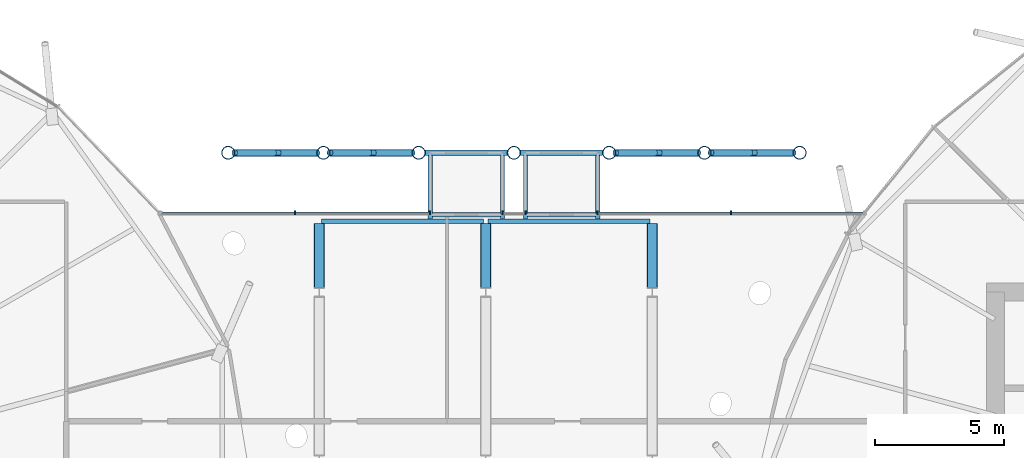
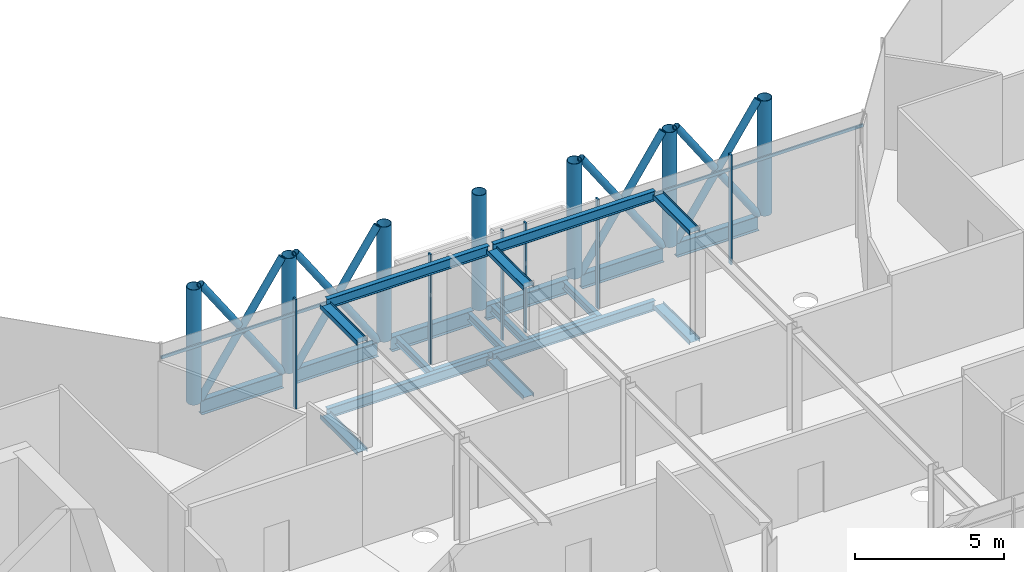
# One storey, part 10 of 36: 29 members, 22 beams, 1 element without a shape of its own.
"""IFC4 building model written with IfcOpenShell, lengths in metres."""

from ifc_helpers import new_model, si_unit, direction, frame, origin, origin_2d, place, context, subcontext, project, spatial, rectangle, hollow_circle, i_section, extrude, material, material_profile, profile_set, type_object, element, aggregate, save


model = new_model("IFC4")

# Units and contexts
model_context = context("Model", 3, precision=1e-05, world=origin(), true_north=direction((0.0, 1.0)))
body_context = subcontext(model_context, "Body", "Model", "MODEL_VIEW")
ifc_project = project(units=[si_unit("LENGTHUNIT", "METRE"), si_unit("AREAUNIT", "SQUARE_METRE"), si_unit("VOLUMEUNIT", "CUBIC_METRE"), si_unit("PLANEANGLEUNIT", "RADIAN"), si_unit("MASSUNIT", "GRAM", prefix="KILO")], contexts=[model_context])

# Site, building, storey
site_placement = place(None, origin())
site = spatial("IfcSite", under=ifc_project, at=site_placement, CompositionType="ELEMENT")
building_placement = place(site_placement, origin())
building = spatial("IfcBuilding", under=site, at=building_placement, Name="Rimbun Link Towers", CompositionType="ELEMENT")
storey_placement = place(building_placement, frame((0.0, 0.0, 154.39990234375)))
storey = spatial("IfcBuildingStorey", under=building, at=storey_placement, Name="L37", CompositionType="ELEMENT", Elevation=154.39990234375)

# Curtain wall, members
ifc_material_1 = material(Name="Aluminium 6063-T6 and low-iron glass", Category="aluminium")
curtain_wall_type = type_object("IfcCurtainWallType", Name="CW5 full height lobby wall", PredefinedType="NOTDEFINED", material=ifc_material_1)
curtain_wall_placement = place(storey_placement, origin())
curtain_wall = element("IfcCurtainWall", 1, at=curtain_wall_placement, inside=storey, type_object=curtain_wall_type, Name="CW5 L37 LB", PredefinedType="NOTDEFINED")
ifc_material_2 = material(Name="Aluminium 6063-T6", Category="aluminium")
ifc_material_profile_1 = material_profile(ifc_material_2, rectangle(XDim=0.14990234375, YDim=0.06005859375, at=origin_2d()), Name="MULLION 60X150")
ifc_profile_set_1 = profile_set([ifc_material_profile_1], Name="Aluminium 6063-T6")
member_type_1 = type_object("IfcMemberType", Name="CW5 mullion 60X150", PredefinedType="MULLION", material=ifc_profile_set_1)
member_1_placement = place(storey_placement, frame((-7.39013671875, 11.074951171875, 0.0), z_axis=(0.0, 0.0, 1.0), x_axis=(0.0, 1.0, 0.0)))
member_1 = element("IfcMember", 2, at=member_1_placement, type_object=member_type_1, Name="CW5 mullion", PredefinedType="MULLION", context=body_context, shape_type="SweptSolid", body=[
    extrude(rectangle(XDim=0.14990234375, YDim=0.06005859375, at=origin_2d()), origin(), (0.0, 0.0, 1.0), 4.5),
])
member_2_placement = place(storey_placement, frame((-2.1533203125, 11.074951171875, 0.0), z_axis=(0.0, 0.0, 1.0), x_axis=(0.0, 1.0, 0.0)))
member_2 = element("IfcMember", 3, at=member_2_placement, type_object=member_type_1, Name="CW5 mullion", PredefinedType="MULLION", context=body_context, shape_type="SweptSolid", body=[
    extrude(rectangle(XDim=0.14990234375, YDim=0.06005859375, at=origin_2d()), origin(), (0.0, 0.0, 1.0), 4.5),
])
member_3_placement = place(storey_placement, frame((0.646728515625, 11.074951171875, 0.0), z_axis=(0.0, 0.0, 1.0), x_axis=(0.0, 1.0, 0.0)))
member_3 = element("IfcMember", 4, at=member_3_placement, type_object=member_type_1, Name="CW5 mullion", PredefinedType="MULLION", context=body_context, shape_type="SweptSolid", body=[
    extrude(rectangle(XDim=0.14990234375, YDim=0.06005859375, at=origin_2d()), origin(), (0.0, 0.0, 1.0), 4.5),
])
member_4_placement = place(storey_placement, frame((1.536865234375, 11.074951171875, 0.0), z_axis=(0.0, 0.0, 1.0), x_axis=(0.0, 1.0, 0.0)))
member_4 = element("IfcMember", 5, at=member_4_placement, type_object=member_type_1, Name="CW5 mullion", PredefinedType="MULLION", context=body_context, shape_type="SweptSolid", body=[
    extrude(rectangle(XDim=0.14990234375, YDim=0.06005859375, at=origin_2d()), origin(), (0.0, 0.0, 1.0), 4.5),
])
member_5_placement = place(storey_placement, frame((4.336669921875, 11.074951171875, 0.0), z_axis=(0.0, 0.0, 1.0), x_axis=(0.0, 1.0, 0.0)))
member_5 = element("IfcMember", 6, at=member_5_placement, type_object=member_type_1, Name="CW5 mullion", PredefinedType="MULLION", context=body_context, shape_type="SweptSolid", body=[
    extrude(rectangle(XDim=0.14990234375, YDim=0.06005859375, at=origin_2d()), origin(), (0.0, 0.0, 1.0), 4.5),
])
member_6_placement = place(storey_placement, frame((9.498779296875, 11.074951171875, 0.0), z_axis=(0.0, 0.0, 1.0), x_axis=(0.0, 1.0, 0.0)))
member_6 = element("IfcMember", 7, at=member_6_placement, type_object=member_type_1, Name="CW5 mullion", PredefinedType="MULLION", context=body_context, shape_type="SweptSolid", body=[
    extrude(rectangle(XDim=0.14990234375, YDim=0.06005859375, at=origin_2d()), origin(), (0.0, 0.0, 1.0), 4.5),
])
ifc_material_3 = material(Name="Aluminium 6063-T6", Category="aluminium")
ifc_material_profile_2 = material_profile(ifc_material_3, rectangle(XDim=0.06005859375, YDim=0.1201171875, at=origin_2d()), Name="TRANSOM 60X120")
ifc_profile_set_2 = profile_set([ifc_material_profile_2], Name="Aluminium 6063-T6")
member_type_2 = type_object("IfcMemberType", Name="CW5 transom 60X120", PredefinedType="USERDEFINED", material=ifc_profile_set_2)
member_7_placement = place(storey_placement, frame((-12.596923828125, 11.06201171875, 3.900146484375), z_axis=(1.0, 0.0, 0.0), x_axis=(0.0, 1.0, 0.0)))
member_7 = element("IfcMember", 8, at=member_7_placement, type_object=member_type_2, Name="CW5 transom", ObjectType="TRANSOM", PredefinedType="USERDEFINED", context=body_context, shape_type="SweptSolid", body=[
    extrude(rectangle(XDim=0.06005859375, YDim=0.1201171875, at=origin_2d()), origin(), (0.0, 0.0, 1.0), 5.1767578125),
])
member_8_placement = place(storey_placement, frame((-7.360107421875, 11.06201171875, 3.900146484375), z_axis=(1.0, 0.0, 0.0), x_axis=(0.0, 1.0, 0.0)))
member_8 = element("IfcMember", 9, at=member_8_placement, type_object=member_type_2, Name="CW5 transom", ObjectType="TRANSOM", PredefinedType="USERDEFINED", context=body_context, shape_type="SweptSolid", body=[
    extrude(rectangle(XDim=0.06005859375, YDim=0.1201171875, at=origin_2d()), origin(), (0.0, 0.0, 1.0), 5.177001953125),
])
member_9_placement = place(storey_placement, frame((4.36669921875, 11.06201171875, 3.900146484375), z_axis=(1.0, 0.0, 0.0), x_axis=(0.0, 1.0, 0.0)))
member_9 = element("IfcMember", 10, at=member_9_placement, type_object=member_type_2, Name="CW5 transom", ObjectType="TRANSOM", PredefinedType="USERDEFINED", context=body_context, shape_type="SweptSolid", body=[
    extrude(rectangle(XDim=0.06005859375, YDim=0.1201171875, at=origin_2d()), origin(), (0.0, 0.0, 1.0), 5.10205078125),
])
member_10_placement = place(storey_placement, frame((9.52880859375, 11.06201171875, 3.900146484375), z_axis=(1.0, 0.0, 0.0), x_axis=(0.0, 1.0, 0.0)))
member_10 = element("IfcMember", 11, at=member_10_placement, type_object=member_type_2, Name="CW5 transom", ObjectType="TRANSOM", PredefinedType="USERDEFINED", context=body_context, shape_type="SweptSolid", body=[
    extrude(rectangle(XDim=0.06005859375, YDim=0.1201171875, at=origin_2d()), origin(), (0.0, 0.0, 1.0), 5.101806640625),
])
aggregate(curtain_wall, [member_1, member_2, member_3, member_4, member_5, member_6, member_7, member_8, member_9, member_10])

# Beams
ifc_material_4 = material(Name="Steel S355J2", Category="steel")
ifc_material_profile_3 = material_profile(ifc_material_4, i_section(OverallWidth=0.1650390625, OverallDepth=0.303466796875, WebThickness=0.006103515625, FlangeThickness=0.01025390625, at=origin_2d()), Name="UB 305x165x40")
ifc_profile_set_3 = profile_set([ifc_material_profile_3], Name="Steel S355J2")
beam_type_1 = type_object("IfcBeamType", Name="Capsule bracket beam UB 305x165x40", PredefinedType="BEAM", material=ifc_profile_set_3)
for number, where, z_axis, x_axis, name in (
    (12, (-2.1533203125, 10.8349609375, -0.37158203125), (0.0, 1.0, 0.0), (-1.0, 0.0, 0.0), "Capsule F37.01 bracket beam 1"),
    (13, (0.646728515625, 10.8349609375, -0.37158203125), (0.0, 1.0, 0.0), (-1.0, 0.0, 0.0), "Capsule F37.01 bracket beam 2"),
):
    element("IfcBeam", number, at=place(storey_placement, frame(where, z_axis=z_axis, x_axis=x_axis)), inside=storey, type_object=beam_type_1, Name=name, PredefinedType="BEAM", context=body_context, shape_type="SweptSolid", body=[
        extrude(i_section(OverallWidth=0.1650390625, OverallDepth=0.303466796875, WebThickness=0.006103515625, FlangeThickness=0.01025390625, at=origin_2d()), origin(), (0.0, 0.0, 1.0), 2.451171875),
    ])
beam_1_placement = place(storey_placement, frame((-2.07080078125, 11.0, -0.37158203125), z_axis=(1.0, 0.0, 0.0), x_axis=(0.0, 1.0, 0.0)))
element("IfcBeam", 14, at=beam_1_placement, inside=storey, type_object=beam_type_1, Name="Capsule F37.01 bracket beam 3", PredefinedType="BEAM", context=body_context, shape_type="SweptSolid", body=[
    extrude(i_section(OverallWidth=0.1650390625, OverallDepth=0.303466796875, WebThickness=0.006103515625, FlangeThickness=0.01025390625, at=origin_2d()), origin(), (0.0, 0.0, 1.0), 2.635009765625),
])
for number, where, z_axis, x_axis, name in (
    (15, (1.536865234375, 10.8349609375, -0.37158203125), (0.0, 1.0, 0.0), (-1.0, 0.0, 0.0), "Capsule F37.02 bracket beam 1"),
    (16, (4.336669921875, 10.8349609375, -0.37158203125), (0.0, 1.0, 0.0), (-1.0, 0.0, 0.0), "Capsule F37.02 bracket beam 2"),
):
    element("IfcBeam", number, at=place(storey_placement, frame(where, z_axis=z_axis, x_axis=x_axis)), inside=storey, type_object=beam_type_1, Name=name, PredefinedType="BEAM", context=body_context, shape_type="SweptSolid", body=[
        extrude(i_section(OverallWidth=0.1650390625, OverallDepth=0.303466796875, WebThickness=0.006103515625, FlangeThickness=0.01025390625, at=origin_2d()), origin(), (0.0, 0.0, 1.0), 2.451171875),
    ])
beam_2_placement = place(storey_placement, frame((1.619140625, 11.0, -0.37158203125), z_axis=(1.0, 0.0, 0.0), x_axis=(0.0, 1.0, 0.0)))
element("IfcBeam", 17, at=beam_2_placement, inside=storey, type_object=beam_type_1, Name="Capsule F37.02 bracket beam 3", PredefinedType="BEAM", context=body_context, shape_type="SweptSolid", body=[
    extrude(i_section(OverallWidth=0.1650390625, OverallDepth=0.303466796875, WebThickness=0.006103515625, FlangeThickness=0.01025390625, at=origin_2d()), origin(), (0.0, 0.0, 1.0), 2.635009765625),
])
ifc_material_5 = material(Name="Steel S355J2", Category="steel")
ifc_material_profile_4 = material_profile(ifc_material_5, i_section(OverallWidth=0.177978515625, OverallDepth=0.406494140625, WebThickness=0.0078125, FlangeThickness=0.0126953125, at=origin_2d()), Name="UKB 406x178x60")
ifc_profile_set_4 = profile_set([ifc_material_profile_4], Name="Steel S355J2")
beam_type_2 = type_object("IfcBeamType", Name="Link floor beam UKB 406x178x60", PredefinedType="BEAM", material=ifc_profile_set_4)
for number, where, z_axis, x_axis, name in (
    (18, (-6.449951171875, 8.1875, -0.363037109375), (0.0, 1.0, 0.0), (0.0, 0.0, 1.0), "Link floor beam L37 03"),
    (19, (0.0, 8.1875, -0.363037109375), (0.0, 1.0, 0.0), (0.0, 0.0, 1.0), "Link floor beam L37 07"),
    (20, (6.449951171875, 8.1875, -0.363037109375), (0.0, 1.0, 0.0), (0.0, 0.0, 1.0), "Link floor beam L37 11"),
):
    element("IfcBeam", number, at=place(storey_placement, frame(where, z_axis=z_axis, x_axis=x_axis)), inside=storey, type_object=beam_type_2, Name=name, PredefinedType="BEAM", context=body_context, shape_type="SweptSolid", body=[
        extrude(i_section(OverallWidth=0.177978515625, OverallDepth=0.406494140625, WebThickness=0.0078125, FlangeThickness=0.0126953125, at=origin_2d()), origin(), (0.0, 0.0, 1.0), 2.473388671875),
    ])
for number, where, z_axis, x_axis, name in (
    (21, (-6.361083984375, 10.75, -0.363037109375), (1.0, 0.0, 0.0), (0.0, 1.0, 0.0), "Link edge beam L37 14"),
    (22, (0.089111328125, 10.75, -0.363037109375), (1.0, 0.0, 0.0), (0.0, 1.0, 0.0), "Link edge beam L37 15"),
):
    element("IfcBeam", number, at=place(storey_placement, frame(where, z_axis=z_axis, x_axis=x_axis)), inside=storey, type_object=beam_type_2, Name=name, PredefinedType="BEAM", context=body_context, shape_type="SweptSolid", body=[
        extrude(i_section(OverallWidth=0.177978515625, OverallDepth=0.406494140625, WebThickness=0.0078125, FlangeThickness=0.0126953125, at=origin_2d()), origin(), (0.0, 0.0, 1.0), 6.27197265625),
    ])
for number, where, z_axis, x_axis, name in (
    (23, (-6.449951171875, 8.1875, 4.136962890625), (0.0, 1.0, 0.0), (0.0, 0.0, 1.0), "Link roof beam 03"),
    (24, (0.0, 8.1875, 4.136962890625), (0.0, 1.0, 0.0), (0.0, 0.0, 1.0), "Link roof beam 07"),
    (25, (6.449951171875, 8.1875, 4.136962890625), (0.0, 1.0, 0.0), (0.0, 0.0, 1.0), "Link roof beam 11"),
):
    element("IfcBeam", number, at=place(storey_placement, frame(where, z_axis=z_axis, x_axis=x_axis)), inside=storey, type_object=beam_type_2, Name=name, PredefinedType="BEAM", context=body_context, shape_type="SweptSolid", body=[
        extrude(i_section(OverallWidth=0.177978515625, OverallDepth=0.406494140625, WebThickness=0.0078125, FlangeThickness=0.0126953125, at=origin_2d()), origin(), (0.0, 0.0, 1.0), 2.473388671875),
    ])
for number, where, z_axis, x_axis, name in (
    (26, (-6.361083984375, 10.75, 4.136962890625), (1.0, 0.0, 0.0), (0.0, 1.0, 0.0), "Link roof edge beam 14"),
    (27, (0.089111328125, 10.75, 4.136962890625), (1.0, 0.0, 0.0), (0.0, 1.0, 0.0), "Link roof edge beam 15"),
):
    element("IfcBeam", number, at=place(storey_placement, frame(where, z_axis=z_axis, x_axis=x_axis)), inside=storey, type_object=beam_type_2, Name=name, PredefinedType="BEAM", context=body_context, shape_type="SweptSolid", body=[
        extrude(i_section(OverallWidth=0.177978515625, OverallDepth=0.406494140625, WebThickness=0.0078125, FlangeThickness=0.0126953125, at=origin_2d()), origin(), (0.0, 0.0, 1.0), 6.27197265625),
    ])

# Members
ifc_material_6 = material(Name="Steel S355J2H", Category="steel")
ifc_material_profile_5 = material_profile(ifc_material_6, hollow_circle(Radius=0.136474609375, WallThickness=0.012451171875, at=origin_2d()), Name="CHS 273x12.5")
ifc_profile_set_5 = profile_set([ifc_material_profile_5], Name="Steel S355J2H")
member_type_3 = type_object("IfcMemberType", Name="Link megaframe brace CHS 273x12.5", PredefinedType="BRACE", material=ifc_profile_set_5)
member_11_placement = place(storey_placement, frame((-9.72412109375, 13.39990234375, -0.219970703125), z_axis=(0.559007973425, 0.0, 0.829162279441), x_axis=(0.0, 1.0, 0.0)))
element("IfcMember", 28, at=member_11_placement, inside=storey, type_object=member_type_3, Name="Link megaframe brace N0-1 bay 6.1", PredefinedType="BRACE", context=body_context, shape_type="SweptSolid", body=[
    extrude(hollow_circle(Radius=0.136474609375, WallThickness=0.012451171875, at=origin_2d()), origin(), (0.0, 0.0, 1.0), 5.6923828125),
])
member_12_placement = place(storey_placement, frame((-6.5419921875, 13.39990234375, -0.219970703125), z_axis=(-0.558958267631, 0.0, 0.829195788127), x_axis=(0.0, -1.0, 0.0)))
element("IfcMember", 29, at=member_12_placement, inside=storey, type_object=member_type_3, Name="Link megaframe brace N0-1 bay 6.2a", PredefinedType="BRACE", context=body_context, shape_type="SweptSolid", body=[
    extrude(hollow_circle(Radius=0.136474609375, WallThickness=0.012451171875, at=origin_2d()), origin(), (0.0, 0.0, 1.0), 2.681396484375),
])
member_13_placement = place(storey_placement, frame((-8.225341796875, 13.39990234375, 2.27685546875), z_axis=(-0.559000470654, 0.0, 0.82916733764), x_axis=(0.0, -1.0, 0.0)))
element("IfcMember", 30, at=member_13_placement, inside=storey, type_object=member_type_3, Name="Link megaframe brace N0-1 bay 6.2b", PredefinedType="BRACE", context=body_context, shape_type="SweptSolid", body=[
    extrude(hollow_circle(Radius=0.136474609375, WallThickness=0.012451171875, at=origin_2d()), origin(), (0.0, 0.0, 1.0), 2.68115234375),
])
member_14_placement = place(storey_placement, frame((-6.0341796875, 13.39990234375, -0.219970703125), z_axis=(0.558978486127, 0.0, 0.829182158544), x_axis=(0.0, 1.0, 0.0)))
element("IfcMember", 31, at=member_14_placement, inside=storey, type_object=member_type_3, Name="Link megaframe brace N1-2 bay 6.1", PredefinedType="BRACE", context=body_context, shape_type="SweptSolid", body=[
    extrude(hollow_circle(Radius=0.136474609375, WallThickness=0.012451171875, at=origin_2d()), origin(), (0.0, 0.0, 1.0), 5.6923828125),
])
for number, where, z_axis, x_axis, name in (
    (32, (-2.852294921875, 13.39990234375, -0.219970703125), (-0.558895659739, 0.0, 0.829237988472), (0.0, -1.0, 0.0), "Link megaframe brace N1-2 bay 6.2a"),
    (33, (-4.535400390625, 13.39990234375, 2.27685546875), (-0.559000470654, 0.0, 0.82916733764), (0.0, -1.0, 0.0), "Link megaframe brace N1-2 bay 6.2b"),
):
    element("IfcMember", number, at=place(storey_placement, frame(where, z_axis=z_axis, x_axis=x_axis)), inside=storey, type_object=member_type_3, Name=name, PredefinedType="BRACE", context=body_context, shape_type="SweptSolid", body=[
        extrude(hollow_circle(Radius=0.136474609375, WallThickness=0.012451171875, at=origin_2d()), origin(), (0.0, 0.0, 1.0), 2.68115234375),
    ])
member_15_placement = place(storey_placement, frame((5.03564453125, 13.39990234375, -0.219970703125), z_axis=(0.558978486127, 0.0, 0.829182158544), x_axis=(0.0, 1.0, 0.0)))
element("IfcMember", 34, at=member_15_placement, inside=storey, type_object=member_type_3, Name="Link megaframe brace N4-5 bay 6.1", PredefinedType="BRACE", context=body_context, shape_type="SweptSolid", body=[
    extrude(hollow_circle(Radius=0.136474609375, WallThickness=0.012451171875, at=origin_2d()), origin(), (0.0, 0.0, 1.0), 5.6923828125),
])
for number, where, z_axis, x_axis, name in (
    (35, (8.217529296875, 13.39990234375, -0.219970703125), (-0.558895659739, 0.0, 0.829237988472), (0.0, -1.0, 0.0), "Link megaframe brace N4-5 bay 6.2a"),
    (36, (6.534423828125, 13.39990234375, 2.27685546875), (-0.559000470654, 0.0, 0.82916733764), (0.0, -1.0, 0.0), "Link megaframe brace N4-5 bay 6.2b"),
):
    element("IfcMember", number, at=place(storey_placement, frame(where, z_axis=z_axis, x_axis=x_axis)), inside=storey, type_object=member_type_3, Name=name, PredefinedType="BRACE", context=body_context, shape_type="SweptSolid", body=[
        extrude(hollow_circle(Radius=0.136474609375, WallThickness=0.012451171875, at=origin_2d()), origin(), (0.0, 0.0, 1.0), 2.68115234375),
    ])
member_16_placement = place(storey_placement, frame((8.7255859375, 13.39990234375, -0.219970703125), z_axis=(0.558978486127, 0.0, 0.829182158544), x_axis=(0.0, 1.0, 0.0)))
element("IfcMember", 37, at=member_16_placement, inside=storey, type_object=member_type_3, Name="Link megaframe brace N5-6 bay 6.1", PredefinedType="BRACE", context=body_context, shape_type="SweptSolid", body=[
    extrude(hollow_circle(Radius=0.136474609375, WallThickness=0.012451171875, at=origin_2d()), origin(), (0.0, 0.0, 1.0), 5.6923828125),
])
member_17_placement = place(storey_placement, frame((11.907470703125, 13.39990234375, -0.219970703125), z_axis=(-0.558958267631, 0.0, 0.829195788127), x_axis=(0.0, -1.0, 0.0)))
element("IfcMember", 38, at=member_17_placement, inside=storey, type_object=member_type_3, Name="Link megaframe brace N5-6 bay 6.2a", PredefinedType="BRACE", context=body_context, shape_type="SweptSolid", body=[
    extrude(hollow_circle(Radius=0.136474609375, WallThickness=0.012451171875, at=origin_2d()), origin(), (0.0, 0.0, 1.0), 2.681396484375),
])
member_18_placement = place(storey_placement, frame((10.224365234375, 13.39990234375, 2.27685546875), z_axis=(-0.559000470654, 0.0, 0.82916733764), x_axis=(0.0, -1.0, 0.0)))
element("IfcMember", 39, at=member_18_placement, inside=storey, type_object=member_type_3, Name="Link megaframe brace N5-6 bay 6.2b", PredefinedType="BRACE", context=body_context, shape_type="SweptSolid", body=[
    extrude(hollow_circle(Radius=0.136474609375, WallThickness=0.012451171875, at=origin_2d()), origin(), (0.0, 0.0, 1.0), 2.68115234375),
])
ifc_material_7 = material(Name="Steel S355J2H", Category="steel")
ifc_material_profile_6 = material_profile(ifc_material_7, hollow_circle(Radius=0.25390625, WallThickness=0.02001953125, at=origin_2d()), Name="CHS 508x20")
ifc_profile_set_6 = profile_set([ifc_material_profile_6], Name="Steel S355J2H")
member_type_4 = type_object("IfcMemberType", Name="Link megaframe post CHS 508x20", PredefinedType="POST", material=ifc_profile_set_6)
for number, where, z_axis, x_axis, name in (
    (40, (-9.97802734375, 13.39990234375, -0.219970703125), (0.0, 0.0, 1.0), (1.0, 0.0, 0.0), "Link megaframe post N0 bay 6"),
    (41, (-6.2880859375, 13.39990234375, -0.219970703125), (0.0, 0.0, 1.0), (1.0, 0.0, 0.0), "Link megaframe post N1 bay 6"),
    (42, (-2.59814453125, 13.39990234375, -0.219970703125), (0.0, 0.0, 1.0), (1.0, 0.0, 0.0), "Link megaframe post N2 bay 6"),
    (43, (1.091796875, 13.39990234375, -0.219970703125), (0.0, 0.0, 1.0), (1.0, 0.0, 0.0), "Link megaframe post N3 bay 6"),
    (44, (4.78173828125, 13.39990234375, -0.219970703125), (0.0, 0.0, 1.0), (1.0, 0.0, 0.0), "Link megaframe post N4 bay 6"),
    (45, (8.4716796875, 13.39990234375, -0.219970703125), (0.0, 0.0, 1.0), (1.0, 0.0, 0.0), "Link megaframe post N5 bay 6"),
    (46, (12.16162109375, 13.39990234375, -0.219970703125), (0.0, 0.0, 1.0), (1.0, 0.0, 0.0), "Link megaframe post N6 bay 6"),
):
    element("IfcMember", number, at=place(storey_placement, frame(where, z_axis=z_axis, x_axis=x_axis)), inside=storey, type_object=member_type_4, Name=name, PredefinedType="POST", context=body_context, shape_type="SweptSolid", body=[
        extrude(hollow_circle(Radius=0.25390625, WallThickness=0.02001953125, at=origin_2d()), origin(), (0.0, 0.0, 1.0), 4.719970703125),
    ])

# Beams
ifc_material_8 = material(Name="Steel S355J2", Category="steel")
ifc_material_profile_7 = material_profile(ifc_material_8, i_section(OverallWidth=0.2275390625, OverallDepth=0.6025390625, WebThickness=0.010498046875, FlangeThickness=0.014892578125, at=origin_2d()), Name="UB 610x229x101")
ifc_profile_set_7 = profile_set([ifc_material_profile_7], Name="Steel S355J2")
beam_type_3 = type_object("IfcBeamType", Name="Link megaframe ring beam UB 610x229x101", PredefinedType="BEAM", material=ifc_profile_set_7)
beam_3_placement = place(storey_placement, frame((-9.72412109375, 13.39990234375, -0.521240234375), z_axis=(1.0, 0.0, 0.0), x_axis=(0.0, 1.0, 0.0)))
element("IfcBeam", 47, at=beam_3_placement, inside=storey, type_object=beam_type_3, Name="Link megaframe ring beam N0-1 L37", PredefinedType="BEAM", context=body_context, shape_type="SweptSolid", body=[
    extrude(i_section(OverallWidth=0.2275390625, OverallDepth=0.6025390625, WebThickness=0.010498046875, FlangeThickness=0.014892578125, at=origin_2d()), origin(), (0.0, 0.0, 1.0), 3.18212890625),
])
beam_4_placement = place(storey_placement, frame((-6.0341796875, 13.39990234375, -0.521240234375), z_axis=(1.0, 0.0, 0.0), x_axis=(0.0, 1.0, 0.0)))
element("IfcBeam", 48, at=beam_4_placement, inside=storey, type_object=beam_type_3, Name="Link megaframe ring beam N1-2 L37", PredefinedType="BEAM", context=body_context, shape_type="SweptSolid", body=[
    extrude(i_section(OverallWidth=0.2275390625, OverallDepth=0.6025390625, WebThickness=0.010498046875, FlangeThickness=0.014892578125, at=origin_2d()), origin(), (0.0, 0.0, 1.0), 3.181884765625),
])
beam_5_placement = place(storey_placement, frame((-2.34423828125, 13.39990234375, -0.521240234375), z_axis=(1.0, 0.0, 0.0), x_axis=(0.0, 1.0, 0.0)))
element("IfcBeam", 49, at=beam_5_placement, inside=storey, type_object=beam_type_3, Name="Link megaframe ring beam N2-3 L37", PredefinedType="BEAM", context=body_context, shape_type="SweptSolid", body=[
    extrude(i_section(OverallWidth=0.2275390625, OverallDepth=0.6025390625, WebThickness=0.010498046875, FlangeThickness=0.014892578125, at=origin_2d()), origin(), (0.0, 0.0, 1.0), 3.18212890625),
])
for number, where, z_axis, x_axis, name in (
    (50, (1.345703125, 13.39990234375, -0.521240234375), (1.0, 0.0, 0.0), (0.0, 1.0, 0.0), "Link megaframe ring beam N3-4 L37"),
    (51, (5.03564453125, 13.39990234375, -0.521240234375), (1.0, 0.0, 0.0), (0.0, 1.0, 0.0), "Link megaframe ring beam N4-5 L37"),
    (52, (8.7255859375, 13.39990234375, -0.521240234375), (1.0, 0.0, 0.0), (0.0, 1.0, 0.0), "Link megaframe ring beam N5-6 L37"),
):
    element("IfcBeam", number, at=place(storey_placement, frame(where, z_axis=z_axis, x_axis=x_axis)), inside=storey, type_object=beam_type_3, Name=name, PredefinedType="BEAM", context=body_context, shape_type="SweptSolid", body=[
        extrude(i_section(OverallWidth=0.2275390625, OverallDepth=0.6025390625, WebThickness=0.010498046875, FlangeThickness=0.014892578125, at=origin_2d()), origin(), (0.0, 0.0, 1.0), 3.181884765625),
    ])

save(model, "model.ifc")
